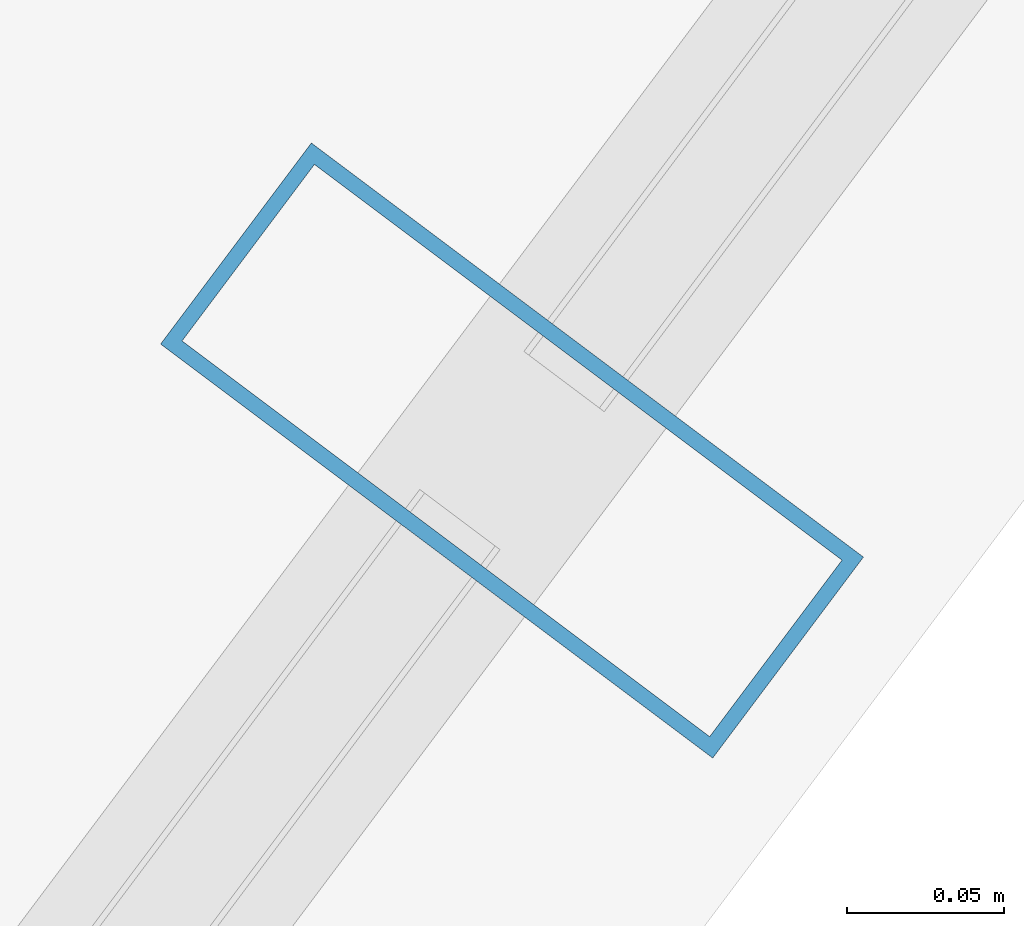
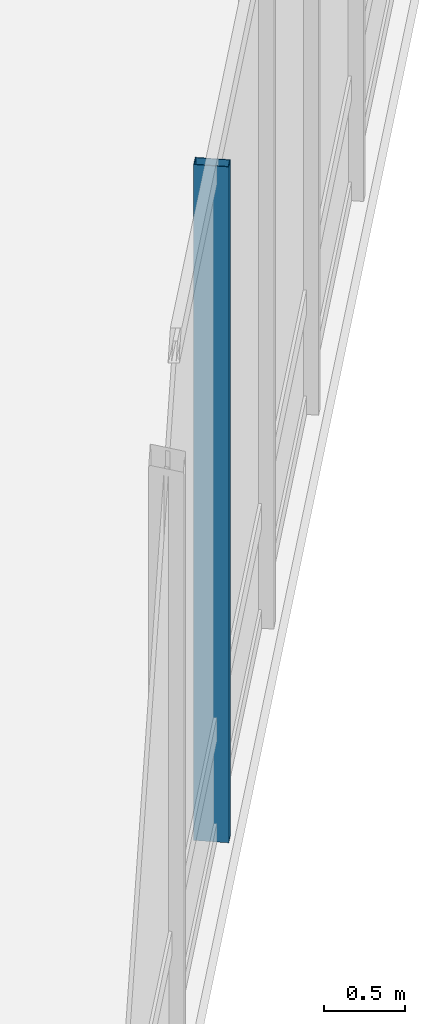
# One storey, part 10 of 38: 1 member, 1 element without a shape of its own.
"""IFC4 building model written with IfcOpenShell, lengths in metres."""

import ifcopenshell
import ifcopenshell.guid

model = None  # the IFC model being written
_history = None  # IfcOwnerHistory: only IFC2X3 demands one
_inside = {}  # id of a spatial element -> (the spatial element, [elements in it])
_under = {}  # id of a project, library or spatial element -> (it, [spatial elements below it])
_declared = {}  # id of a project -> (the project, [libraries it declares])
_typed = {}  # id of a type object -> (the type object, [elements of that type])
_made_of = {}  # id of a material, layer set ... -> (it, [elements and type objects made of it])


def new_model(schema):
    """Start an empty IFC model of exactly this schema.

    Asked for "IFC4X3", IfcOpenShell would pick the latest addendum, in which some entities
    have other attributes; the version numbers below select the first issue.
    IFC2X3 requires an IfcOwnerHistory on every rooted entity: one is made here for all.
    """
    global model, _history
    if schema == "IFC4X3":
        model = ifcopenshell.file(schema_version=(4, 3, 0, 0))
    else:
        model = ifcopenshell.file(schema=schema)
    _inside.clear()
    _under.clear()
    _declared.clear()
    _typed.clear()
    _made_of.clear()
    _history = None
    if model.schema == "IFC2X3":
        org = make("IfcOrganization", Name="unknown")
        user = make(
            "IfcPersonAndOrganization",
            ThePerson=make("IfcPerson", FamilyName="unknown"),
            TheOrganization=org,
        )
        app = make(
            "IfcApplication",
            ApplicationDeveloper=org,
            Version="unknown",
            ApplicationFullName="unknown",
            ApplicationIdentifier="unknown",
        )
        _history = make(
            "IfcOwnerHistory",
            OwningUser=user,
            OwningApplication=app,
            ChangeAction="ADDED",
            CreationDate=0,
        )
    return model


def make(cls, **values):
    """One entity of the class cls with the attributes given. An attribute that is None is left unset."""
    return model.create_entity(
        cls, **{name: value for name, value in values.items() if value is not None}
    )


def rooted(cls, **values):
    """An entity with a GlobalId (a new one), such as an element, a storey or a relation."""
    return make(cls, GlobalId=ifcopenshell.guid.new(), OwnerHistory=_history, **values)


def si_unit(unit_type, name, prefix=None):
    """IfcSIUnit, for example si_unit("LENGTHUNIT", "METRE", prefix="MILLI")."""
    return make("IfcSIUnit", UnitType=unit_type, Prefix=prefix, Name=name)


def assignment(units):
    """IfcUnitAssignment: the units of a project."""
    return None if units is None else make("IfcUnitAssignment", Units=units)


def point(xyz):
    """IfcCartesianPoint."""
    return None if xyz is None else make("IfcCartesianPoint", Coordinates=xyz)


def direction(xyz):
    """IfcDirection."""
    return None if xyz is None else make("IfcDirection", DirectionRatios=xyz)


def frame(location, z_axis=None, x_axis=None):
    """IfcAxis2Placement3D, a coordinate frame: its origin and axes. An axis left out is left unset."""
    return make(
        "IfcAxis2Placement3D",
        Location=point(location),
        Axis=direction(z_axis),
        RefDirection=direction(x_axis),
    )


def frame_2d(location, x_axis=None):
    """IfcAxis2Placement2D, a coordinate frame in the plane: its origin and x axis."""
    return make(
        "IfcAxis2Placement2D", Location=point(location), RefDirection=direction(x_axis)
    )


def origin():
    """The frame at (0, 0, 0) with its axes left unset."""
    return frame((0.0, 0.0, 0.0))


def origin_2d():
    """The frame at (0, 0) in the plane with its x axis left unset."""
    return frame_2d((0.0, 0.0))


def place(relative_to, where):
    """IfcLocalPlacement: puts the frame where relative to a parent placement (None: the world)."""
    return make(
        "IfcLocalPlacement", PlacementRelTo=relative_to, RelativePlacement=where
    )


def context(
    kind, dimensions, precision=None, world=None, true_north=None, identifier=None
):
    """IfcGeometricRepresentationContext, for example the 3D "Model" context."""
    return make(
        "IfcGeometricRepresentationContext",
        ContextIdentifier=identifier,
        ContextType=kind,
        CoordinateSpaceDimension=dimensions,
        Precision=precision,
        WorldCoordinateSystem=world,
        TrueNorth=true_north,
    )


def subcontext(parent, identifier, kind, view, scale=None):
    """IfcGeometricRepresentationSubContext, for example "Body" below "Model"."""
    return make(
        "IfcGeometricRepresentationSubContext",
        ContextIdentifier=identifier,
        ContextType=kind,
        ParentContext=parent,
        TargetScale=scale,
        TargetView=view,
    )


def project(units=None, contexts=None):
    """IfcProject with its units and contexts."""
    return rooted(
        "IfcProject",
        Name="project",
        RepresentationContexts=contexts,
        UnitsInContext=assignment(units),
    )


def spatial(cls, under=None, at=None, **own):
    """A site, building, storey or space (cls), placed at a placement, below another one or the project."""
    s = rooted(cls, ObjectPlacement=at, **own)
    if under is not None:
        _under.setdefault(under.id(), (under, []))[1].append(s)
    return s


def profile(cls, at=None, kind="AREA", **sizes):
    """A parametric profile (cls). Its sizes go by their IFC names, for example OverallWidth=200.0."""
    return make(cls, ProfileType=kind, Position=at, **sizes)


def hollow_rectangle(**sizes):
    """IfcRectangleHollowProfileDef."""
    return profile("IfcRectangleHollowProfileDef", **sizes)


def extrude(swept, where, along, depth):
    """IfcExtrudedAreaSolid: the profile swept, set in the frame where, extruded along a direction by depth."""
    return make(
        "IfcExtrudedAreaSolid",
        SweptArea=swept,
        Position=where,
        ExtrudedDirection=direction(along),
        Depth=depth,
    )


def shape(context_of_items, identifier, shape_type, items):
    """IfcShapeRepresentation: the items that make up one representation, for example the "Body"."""
    return make(
        "IfcShapeRepresentation",
        ContextOfItems=context_of_items,
        RepresentationIdentifier=identifier,
        RepresentationType=shape_type,
        Items=items,
    )


def material(Name=None, Category=None):
    """IfcMaterial."""
    return make("IfcMaterial", Name=Name, Category=Category)


def layer(
    of_material, thickness, ventilated=None, Name=None, Category=None, Priority=None
):
    """IfcMaterialLayer: one layer of a wall or slab, of a material (None: an air gap)."""
    return make(
        "IfcMaterialLayer",
        Material=of_material,
        LayerThickness=thickness,
        IsVentilated=ventilated,
        Name=Name,
        Category=Category,
        Priority=Priority,
    )


def layer_set(layers, Name=None):
    """IfcMaterialLayerSet."""
    return make("IfcMaterialLayerSet", MaterialLayers=layers, LayerSetName=Name)


def material_profile(
    of_material, cross_section, Name=None, Category=None, Priority=None
):
    """IfcMaterialProfile: a cross section and its material."""
    return make(
        "IfcMaterialProfile",
        Name=Name,
        Material=of_material,
        Profile=cross_section,
        Priority=Priority,
        Category=Category,
    )


def profile_set(profiles, Name=None, composite=None):
    """IfcMaterialProfileSet."""
    return make(
        "IfcMaterialProfileSet",
        Name=Name,
        MaterialProfiles=profiles,
        CompositeProfile=composite,
    )


def made_of(thing, what):
    """Note that an element or type object is made of a material, layer set ...; save() writes the relation."""
    if what is not None:
        _made_of.setdefault(what.id(), (what, []))[1].append(thing)
    return thing


def type_object(cls, material=None, **own):
    """A type object (cls), such as IfcWallType, which elements share."""
    return made_of(rooted(cls, **own), material)


def element(
    cls,
    number,
    at=None,
    inside=None,
    cuts=None,
    type_object=None,
    material=None,
    context=None,
    identifier="Body",
    shape_type=None,
    held_by="IfcProductDefinitionShape",
    body=None,
    shapes=None,
    **own,
):
    """One element of the class cls, such as IfcWall. Its Tag is "e" and its number.

    at: its placement. inside: the storey or other place that contains it. cuts: it is an
    opening in that element (IfcRelVoidsElement). A single representation is given by context,
    identifier, shape_type and body (its items); several are given by shapes. held_by: the class
    of the entity that holds the representations. save() writes the other relations.
    """
    e = rooted(cls, Tag="e%d" % number, ObjectPlacement=at, **own)
    if body is not None:
        shapes = [shape(context, identifier, shape_type, body)]
    if shapes is not None:
        e.Representation = make(held_by, Representations=shapes)
    if inside is not None:
        _inside.setdefault(inside.id(), (inside, []))[1].append(e)
    if cuts is not None:
        rooted(
            "IfcRelVoidsElement", RelatingBuildingElement=cuts, RelatedOpeningElement=e
        )
    if type_object is not None:
        _typed.setdefault(type_object.id(), (type_object, []))[1].append(e)
    return made_of(e, material)


def aggregate(whole, parts):
    """IfcRelAggregates: a whole, such as a stair, and the parts it consists of."""
    return rooted("IfcRelAggregates", RelatingObject=whole, RelatedObjects=parts)


def save(model, path):
    """Write the relations noted so far, then the file.

    IfcRelAggregates (storeys below a building ...), IfcRelContainedInSpatialStructure (elements
    in a storey), IfcRelDefinesByType, IfcRelAssociatesMaterial and IfcRelDeclares: one each for
    every whole, place, type object, material and project.
    """
    for whole, parts in _under.values():
        aggregate(whole, parts)
    for where, things in _inside.values():
        rooted(
            "IfcRelContainedInSpatialStructure",
            RelatedElements=things,
            RelatingStructure=where,
        )
    for kind, things in _typed.values():
        rooted("IfcRelDefinesByType", RelatedObjects=things, RelatingType=kind)
    for what, things in _made_of.values():
        rooted("IfcRelAssociatesMaterial", RelatedObjects=things, RelatingMaterial=what)
    for by, libraries in _declared.values():
        rooted("IfcRelDeclares", RelatingContext=by, RelatedDefinitions=libraries)
    model.write(path)


model = new_model("IFC4")

# Units and contexts
model_context = context("Model", 3, precision=1e-05, world=origin(), true_north=direction((0.0, 1.0)))
body_context = subcontext(model_context, "Body", "Model", "MODEL_VIEW")
ifc_project = project(units=[si_unit("LENGTHUNIT", "METRE"), si_unit("AREAUNIT", "SQUARE_METRE"), si_unit("VOLUMEUNIT", "CUBIC_METRE"), si_unit("PLANEANGLEUNIT", "RADIAN"), si_unit("MASSUNIT", "GRAM", prefix="KILO")], contexts=[model_context])

# Site, building, storey
site_placement = place(None, origin())
site = spatial("IfcSite", under=ifc_project, at=site_placement, CompositionType="ELEMENT")
building_placement = place(site_placement, origin())
building = spatial("IfcBuilding", under=site, at=building_placement, Name="Hatsunagi Terrace Concourse", CompositionType="ELEMENT")
storey_placement = place(building_placement, frame((0.0, 0.0, 21.60009765625)))
storey = spatial("IfcBuildingStorey", under=building, at=storey_placement, Name="L05", CompositionType="ELEMENT", Elevation=21.60009765625)

# Curtain wall, member
ifc_material_1 = material(Name="Anodised Aluminium Alloy 6063-T5", Category="aluminium")
ifc_layer = layer(ifc_material_1, 0.199951171875)
ifc_layer_set = layer_set([ifc_layer], Name="PodiumStorefront_CW01")
curtain_wall_type = type_object("IfcCurtainWallType", Name="PodiumStorefront_CW01", PredefinedType="NOTDEFINED", material=ifc_layer_set)
curtain_wall_placement = place(storey_placement, origin())
curtain_wall = element("IfcCurtainWall", 1, at=curtain_wall_placement, inside=storey, type_object=curtain_wall_type, Name="Unitised Curtain Wall CW-01 CW-L05-03", PredefinedType="NOTDEFINED")
ifc_material_2 = material(Name="Anodised Aluminium Alloy 6063-T5", Category="aluminium")
ifc_material_profile = material_profile(ifc_material_2, hollow_rectangle(XDim=0.080078125, YDim=0.219970703125, WallThickness=0.0048828125, at=origin_2d()), Name="ALU-MUL-220x80x5")
ifc_profile_set = profile_set([ifc_material_profile], Name="Anodised Aluminium Alloy 6063-T5")
member_type = type_object("IfcMemberType", Name="CurtainWallMullion_Heavy_220x80", PredefinedType="MULLION", material=ifc_profile_set)
member_placement = place(storey_placement, frame((63.33203125, 9.47607421875, 0.0), z_axis=(0.0, 0.0, 1.0), x_axis=(-0.599969314634, -0.800023013105, 0.0)))
member = element("IfcMember", 2, at=member_placement, type_object=member_type, Name="Curtain Wall Mullion MUL-01", PredefinedType="MULLION", context=body_context, shape_type="SweptSolid", body=[
    extrude(hollow_rectangle(XDim=0.080078125, YDim=0.219970703125, WallThickness=0.0048828125, at=origin_2d()), origin(), (0.0, 0.0, 1.0), 5.099853515625),
])
aggregate(curtain_wall, [member])

save(model, "model.ifc")
